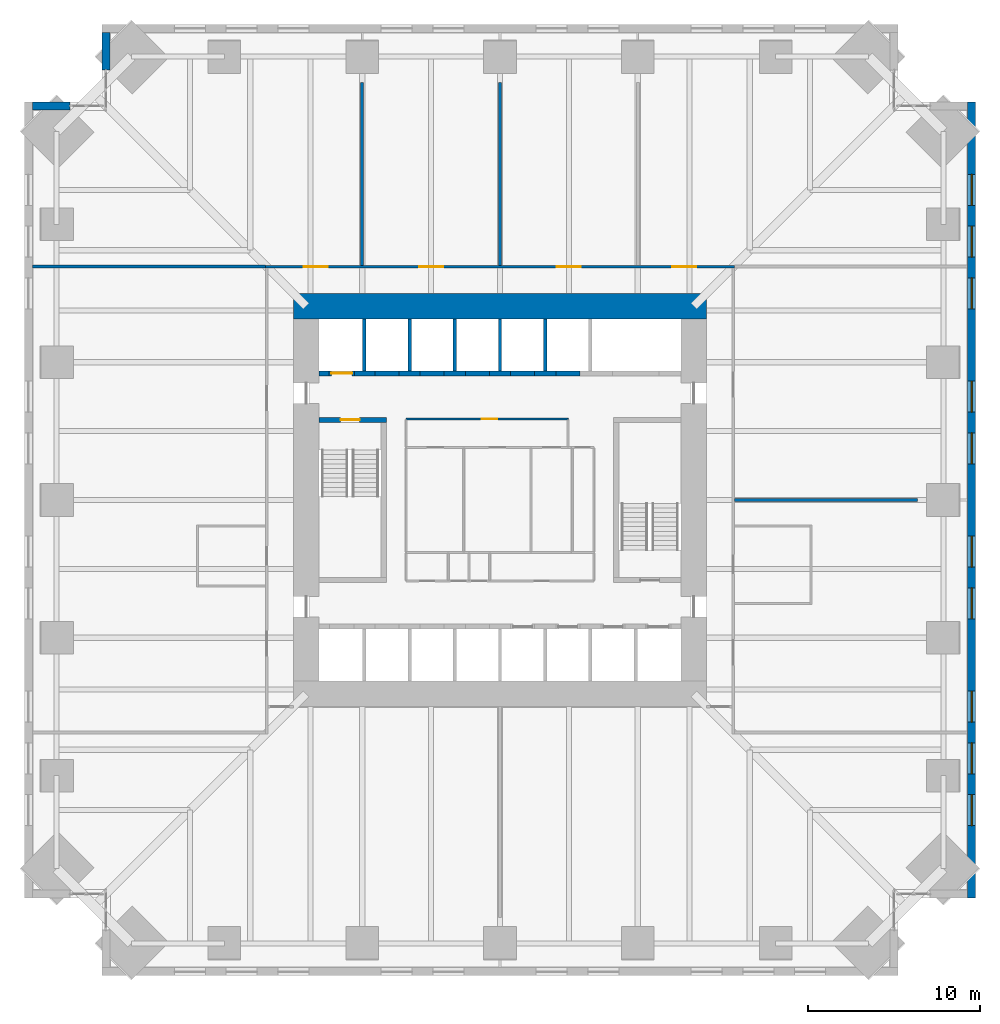
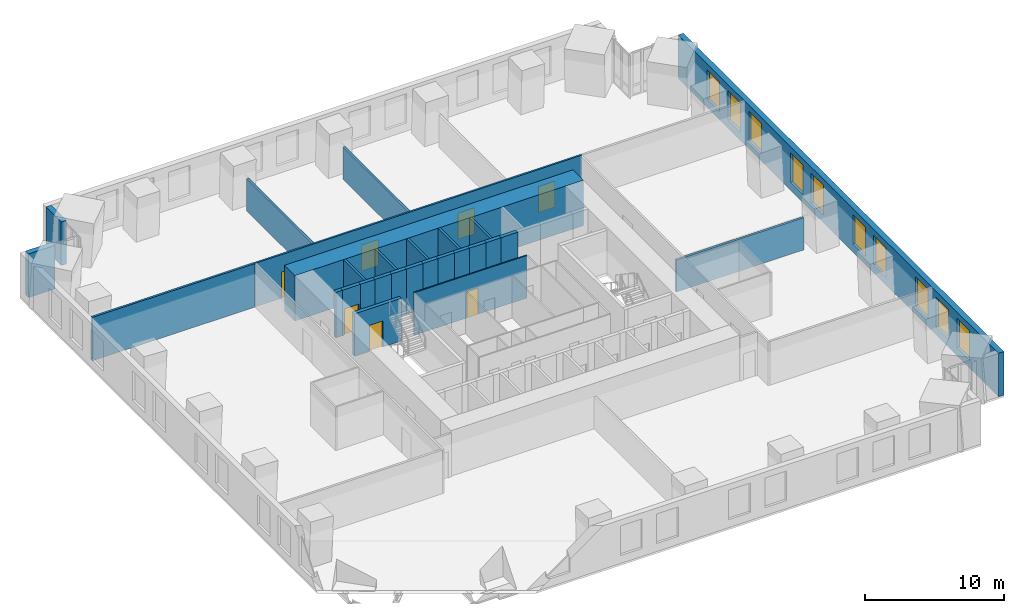
# One storey, part 14 of 16: 28 walls, 10 windows, 7 doors, 17 openings.
"""IFC4 building model written with IfcOpenShell, lengths in metres."""

import ifcopenshell
import ifcopenshell.guid

model = None  # the IFC model being written
_history = None  # IfcOwnerHistory: only IFC2X3 demands one
_inside = {}  # id of a spatial element -> (the spatial element, [elements in it])
_under = {}  # id of a project, library or spatial element -> (it, [spatial elements below it])
_declared = {}  # id of a project -> (the project, [libraries it declares])
_typed = {}  # id of a type object -> (the type object, [elements of that type])
_made_of = {}  # id of a material, layer set ... -> (it, [elements and type objects made of it])


def new_model(schema):
    """Start an empty IFC model of exactly this schema.

    Asked for "IFC4X3", IfcOpenShell would pick the latest addendum, in which some entities
    have other attributes; the version numbers below select the first issue.
    IFC2X3 requires an IfcOwnerHistory on every rooted entity: one is made here for all.
    """
    global model, _history
    if schema == "IFC4X3":
        model = ifcopenshell.file(schema_version=(4, 3, 0, 0))
    else:
        model = ifcopenshell.file(schema=schema)
    _inside.clear()
    _under.clear()
    _declared.clear()
    _typed.clear()
    _made_of.clear()
    _history = None
    if model.schema == "IFC2X3":
        org = make("IfcOrganization", Name="unknown")
        user = make(
            "IfcPersonAndOrganization",
            ThePerson=make("IfcPerson", FamilyName="unknown"),
            TheOrganization=org,
        )
        app = make(
            "IfcApplication",
            ApplicationDeveloper=org,
            Version="unknown",
            ApplicationFullName="unknown",
            ApplicationIdentifier="unknown",
        )
        _history = make(
            "IfcOwnerHistory",
            OwningUser=user,
            OwningApplication=app,
            ChangeAction="ADDED",
            CreationDate=0,
        )
    return model


def make(cls, **values):
    """One entity of the class cls with the attributes given. An attribute that is None is left unset."""
    return model.create_entity(
        cls, **{name: value for name, value in values.items() if value is not None}
    )


def rooted(cls, **values):
    """An entity with a GlobalId (a new one), such as an element, a storey or a relation."""
    return make(cls, GlobalId=ifcopenshell.guid.new(), OwnerHistory=_history, **values)


def si_unit(unit_type, name, prefix=None):
    """IfcSIUnit, for example si_unit("LENGTHUNIT", "METRE", prefix="MILLI")."""
    return make("IfcSIUnit", UnitType=unit_type, Prefix=prefix, Name=name)


def assignment(units):
    """IfcUnitAssignment: the units of a project."""
    return None if units is None else make("IfcUnitAssignment", Units=units)


def point(xyz):
    """IfcCartesianPoint."""
    return None if xyz is None else make("IfcCartesianPoint", Coordinates=xyz)


def direction(xyz):
    """IfcDirection."""
    return None if xyz is None else make("IfcDirection", DirectionRatios=xyz)


def frame(location, z_axis=None, x_axis=None):
    """IfcAxis2Placement3D, a coordinate frame: its origin and axes. An axis left out is left unset."""
    return make(
        "IfcAxis2Placement3D",
        Location=point(location),
        Axis=direction(z_axis),
        RefDirection=direction(x_axis),
    )


def frame_2d(location, x_axis=None):
    """IfcAxis2Placement2D, a coordinate frame in the plane: its origin and x axis."""
    return make(
        "IfcAxis2Placement2D", Location=point(location), RefDirection=direction(x_axis)
    )


def origin():
    """The frame at (0, 0, 0) with its axes left unset."""
    return frame((0.0, 0.0, 0.0))


def place(relative_to, where):
    """IfcLocalPlacement: puts the frame where relative to a parent placement (None: the world)."""
    return make(
        "IfcLocalPlacement", PlacementRelTo=relative_to, RelativePlacement=where
    )


def context(
    kind, dimensions, precision=None, world=None, true_north=None, identifier=None
):
    """IfcGeometricRepresentationContext, for example the 3D "Model" context."""
    return make(
        "IfcGeometricRepresentationContext",
        ContextIdentifier=identifier,
        ContextType=kind,
        CoordinateSpaceDimension=dimensions,
        Precision=precision,
        WorldCoordinateSystem=world,
        TrueNorth=true_north,
    )


def subcontext(parent, identifier, kind, view, scale=None):
    """IfcGeometricRepresentationSubContext, for example "Body" below "Model"."""
    return make(
        "IfcGeometricRepresentationSubContext",
        ContextIdentifier=identifier,
        ContextType=kind,
        ParentContext=parent,
        TargetScale=scale,
        TargetView=view,
    )


def project(units=None, contexts=None):
    """IfcProject with its units and contexts."""
    return rooted(
        "IfcProject",
        Name="project",
        RepresentationContexts=contexts,
        UnitsInContext=assignment(units),
    )


def spatial(cls, under=None, at=None, **own):
    """A site, building, storey or space (cls), placed at a placement, below another one or the project."""
    s = rooted(cls, ObjectPlacement=at, **own)
    if under is not None:
        _under.setdefault(under.id(), (under, []))[1].append(s)
    return s


def profile(cls, at=None, kind="AREA", **sizes):
    """A parametric profile (cls). Its sizes go by their IFC names, for example OverallWidth=200.0."""
    return make(cls, ProfileType=kind, Position=at, **sizes)


def rectangle(**sizes):
    """IfcRectangleProfileDef."""
    return profile("IfcRectangleProfileDef", **sizes)


def extrude(swept, where, along, depth):
    """IfcExtrudedAreaSolid: the profile swept, set in the frame where, extruded along a direction by depth."""
    return make(
        "IfcExtrudedAreaSolid",
        SweptArea=swept,
        Position=where,
        ExtrudedDirection=direction(along),
        Depth=depth,
    )


def shape(context_of_items, identifier, shape_type, items):
    """IfcShapeRepresentation: the items that make up one representation, for example the "Body"."""
    return make(
        "IfcShapeRepresentation",
        ContextOfItems=context_of_items,
        RepresentationIdentifier=identifier,
        RepresentationType=shape_type,
        Items=items,
    )


def material(Name=None, Category=None):
    """IfcMaterial."""
    return make("IfcMaterial", Name=Name, Category=Category)


def layer(
    of_material, thickness, ventilated=None, Name=None, Category=None, Priority=None
):
    """IfcMaterialLayer: one layer of a wall or slab, of a material (None: an air gap)."""
    return make(
        "IfcMaterialLayer",
        Material=of_material,
        LayerThickness=thickness,
        IsVentilated=ventilated,
        Name=Name,
        Category=Category,
        Priority=Priority,
    )


def layer_set(layers, Name=None):
    """IfcMaterialLayerSet."""
    return make("IfcMaterialLayerSet", MaterialLayers=layers, LayerSetName=Name)


def made_of(thing, what):
    """Note that an element or type object is made of a material, layer set ...; save() writes the relation."""
    if what is not None:
        _made_of.setdefault(what.id(), (what, []))[1].append(thing)
    return thing


def type_object(cls, material=None, **own):
    """A type object (cls), such as IfcWallType, which elements share."""
    return made_of(rooted(cls, **own), material)


def element(
    cls,
    number,
    at=None,
    inside=None,
    cuts=None,
    type_object=None,
    material=None,
    context=None,
    identifier="Body",
    shape_type=None,
    held_by="IfcProductDefinitionShape",
    body=None,
    shapes=None,
    **own,
):
    """One element of the class cls, such as IfcWall. Its Tag is "e" and its number.

    at: its placement. inside: the storey or other place that contains it. cuts: it is an
    opening in that element (IfcRelVoidsElement). A single representation is given by context,
    identifier, shape_type and body (its items); several are given by shapes. held_by: the class
    of the entity that holds the representations. save() writes the other relations.
    """
    e = rooted(cls, Tag="e%d" % number, ObjectPlacement=at, **own)
    if body is not None:
        shapes = [shape(context, identifier, shape_type, body)]
    if shapes is not None:
        e.Representation = make(held_by, Representations=shapes)
    if inside is not None:
        _inside.setdefault(inside.id(), (inside, []))[1].append(e)
    if cuts is not None:
        rooted(
            "IfcRelVoidsElement", RelatingBuildingElement=cuts, RelatedOpeningElement=e
        )
    if type_object is not None:
        _typed.setdefault(type_object.id(), (type_object, []))[1].append(e)
    return made_of(e, material)


def fill(opening, filler):
    """IfcRelFillsElement: the door or window that sits in an opening."""
    return rooted(
        "IfcRelFillsElement",
        RelatingOpeningElement=opening,
        RelatedBuildingElement=filler,
    )


def aggregate(whole, parts):
    """IfcRelAggregates: a whole, such as a stair, and the parts it consists of."""
    return rooted("IfcRelAggregates", RelatingObject=whole, RelatedObjects=parts)


def save(model, path):
    """Write the relations noted so far, then the file.

    IfcRelAggregates (storeys below a building ...), IfcRelContainedInSpatialStructure (elements
    in a storey), IfcRelDefinesByType, IfcRelAssociatesMaterial and IfcRelDeclares: one each for
    every whole, place, type object, material and project.
    """
    for whole, parts in _under.values():
        aggregate(whole, parts)
    for where, things in _inside.values():
        rooted(
            "IfcRelContainedInSpatialStructure",
            RelatedElements=things,
            RelatingStructure=where,
        )
    for kind, things in _typed.values():
        rooted("IfcRelDefinesByType", RelatedObjects=things, RelatingType=kind)
    for what, things in _made_of.values():
        rooted("IfcRelAssociatesMaterial", RelatedObjects=things, RelatingMaterial=what)
    for by, libraries in _declared.values():
        rooted("IfcRelDeclares", RelatingContext=by, RelatedDefinitions=libraries)
    model.write(path)


model = new_model("IFC4")

# Units and contexts
model_context = context("Model", 3, precision=1e-05, world=origin(), true_north=direction((0.0, 1.0)))
body_context = subcontext(model_context, "Body", "Model", "MODEL_VIEW")
ifc_project = project(units=[si_unit("LENGTHUNIT", "METRE"), si_unit("AREAUNIT", "SQUARE_METRE"), si_unit("VOLUMEUNIT", "CUBIC_METRE"), si_unit("PLANEANGLEUNIT", "RADIAN"), si_unit("MASSUNIT", "GRAM", prefix="KILO")], contexts=[model_context])

# Site, building, storey
site_placement = place(None, origin())
site = spatial("IfcSite", under=ifc_project, at=site_placement, CompositionType="ELEMENT")
building_placement = place(site_placement, origin())
building = spatial("IfcBuilding", under=site, at=building_placement, Name="Peilmerk Tower", CompositionType="ELEMENT")
storey_placement = place(building_placement, frame((0.0, 0.0, 127.800048828125)))
storey = spatial("IfcBuildingStorey", under=building, at=storey_placement, Name="L25", CompositionType="ELEMENT", Elevation=127.800048828125)

# Wall, openings, windows
ifc_material_1 = material(Name="Precast concrete C45/55, board-marked finish", Category="concrete")
ifc_layer_1 = layer(ifc_material_1, 0.449951171875)
ifc_layer_set_1 = layer_set([ifc_layer_1], Name="Precast concrete C45/55, board-marked finish")
wall_type_1 = type_object("IfcWallType", Name="EW1 450 precast concrete facade wall, board-marked", PredefinedType="SOLIDWALL", material=ifc_layer_set_1)
wall_1_placement = place(storey_placement, frame((27.375, -23.10009765625, 0.0), z_axis=(0.0, 0.0, 1.0), x_axis=(0.0, 1.0, 0.0)))
wall_1 = element("IfcWall", 1, at=wall_1_placement, inside=storey, type_object=wall_type_1, Name="Facade wall E L25", PredefinedType="SOLIDWALL", context=body_context, shape_type="SweptSolid", body=[
    extrude(rectangle(XDim=46.2001953125, YDim=0.449951171875, at=frame_2d((23.10009765625, 0.0))), origin(), (0.0, 0.0, 1.0), 3.829833984375),
])
opening_1_placement = place(wall_1_placement, frame((4.199951171875, 0.0, 0.699951171875)))
opening_1 = element("IfcOpeningElement", 2, at=opening_1_placement, cuts=wall_1, Name="Opening W1", PredefinedType="OPENING", context=body_context, shape_type="SweptSolid", body=[
    extrude(rectangle(XDim=1.800048828125, YDim=2.60009765625, at=frame_2d((0.89990234375, 1.300048828125))), frame((0.0, 0.23486328125, 0.0), z_axis=(0.0, -1.0, 0.0), x_axis=(1.0, 0.0, 0.0)), (0.0, 0.0, 1.0), 0.469970703125),
])
opening_2_placement = place(wall_1_placement, frame((7.199951171875, 0.0, 0.699951171875)))
opening_2 = element("IfcOpeningElement", 3, at=opening_2_placement, cuts=wall_1, Name="Opening W1", PredefinedType="OPENING", context=body_context, shape_type="SweptSolid", body=[
    extrude(rectangle(XDim=1.800048828125, YDim=2.60009765625, at=frame_2d((0.89990234375, 1.300048828125))), frame((0.0, 0.23486328125, 0.0), z_axis=(0.0, -1.0, 0.0), x_axis=(1.0, 0.0, 0.0)), (0.0, 0.0, 1.0), 0.469970703125),
])
opening_3_placement = place(wall_1_placement, frame((10.199951171875, 0.0, 0.699951171875)))
opening_3 = element("IfcOpeningElement", 4, at=opening_3_placement, cuts=wall_1, Name="Opening W1", PredefinedType="OPENING", context=body_context, shape_type="SweptSolid", body=[
    extrude(rectangle(XDim=1.800048828125, YDim=2.60009765625, at=frame_2d((0.89990234375, 1.300048828125))), frame((0.0, 0.23486328125, 0.0), z_axis=(0.0, -1.0, 0.0), x_axis=(1.0, 0.0, 0.0)), (0.0, 0.0, 1.0), 0.469970703125),
])
opening_4_placement = place(wall_1_placement, frame((16.199951171875, 0.0, 0.699951171875)))
opening_4 = element("IfcOpeningElement", 5, at=opening_4_placement, cuts=wall_1, Name="Opening W1", PredefinedType="OPENING", context=body_context, shape_type="SweptSolid", body=[
    extrude(rectangle(XDim=1.800048828125, YDim=2.60009765625, at=frame_2d((0.89990234375, 1.300048828125))), frame((0.0, 0.23486328125, 0.0), z_axis=(0.0, -1.0, 0.0), x_axis=(1.0, 0.0, 0.0)), (0.0, 0.0, 1.0), 0.469970703125),
])
opening_5_placement = place(wall_1_placement, frame((19.199951171875, 0.0, 0.699951171875)))
opening_5 = element("IfcOpeningElement", 6, at=opening_5_placement, cuts=wall_1, Name="Opening W1", PredefinedType="OPENING", context=body_context, shape_type="SweptSolid", body=[
    extrude(rectangle(XDim=1.800048828125, YDim=2.60009765625, at=frame_2d((0.89990234375, 1.300048828125))), frame((0.0, 0.23486328125, 0.0), z_axis=(0.0, -1.0, 0.0), x_axis=(1.0, 0.0, 0.0)), (0.0, 0.0, 1.0), 0.469970703125),
])
opening_6_placement = place(wall_1_placement, frame((25.199951171875, 0.0, 0.699951171875)))
opening_6 = element("IfcOpeningElement", 7, at=opening_6_placement, cuts=wall_1, Name="Opening W1", PredefinedType="OPENING", context=body_context, shape_type="SweptSolid", body=[
    extrude(rectangle(XDim=1.800048828125, YDim=2.60009765625, at=frame_2d((0.89990234375, 1.300048828125))), frame((0.0, 0.23486328125, 0.0), z_axis=(0.0, -1.0, 0.0), x_axis=(1.0, 0.0, 0.0)), (0.0, 0.0, 1.0), 0.469970703125),
])
opening_7_placement = place(wall_1_placement, frame((28.199951171875, 0.0, 0.699951171875)))
opening_7 = element("IfcOpeningElement", 8, at=opening_7_placement, cuts=wall_1, Name="Opening W1", PredefinedType="OPENING", context=body_context, shape_type="SweptSolid", body=[
    extrude(rectangle(XDim=1.800048828125, YDim=2.60009765625, at=frame_2d((0.89990234375, 1.300048828125))), frame((0.0, 0.23486328125, 0.0), z_axis=(0.0, -1.0, 0.0), x_axis=(1.0, 0.0, 0.0)), (0.0, 0.0, 1.0), 0.469970703125),
])
opening_8_placement = place(wall_1_placement, frame((34.199951171875, 0.0, 0.699951171875)))
opening_8 = element("IfcOpeningElement", 9, at=opening_8_placement, cuts=wall_1, Name="Opening W1", PredefinedType="OPENING", context=body_context, shape_type="SweptSolid", body=[
    extrude(rectangle(XDim=1.800048828125, YDim=2.60009765625, at=frame_2d((0.89990234375, 1.300048828125))), frame((0.0, 0.23486328125, 0.0), z_axis=(0.0, -1.0, 0.0), x_axis=(1.0, 0.0, 0.0)), (0.0, 0.0, 1.0), 0.469970703125),
])
opening_9_placement = place(wall_1_placement, frame((37.199951171875, 0.0, 0.699951171875)))
opening_9 = element("IfcOpeningElement", 10, at=opening_9_placement, cuts=wall_1, Name="Opening W1", PredefinedType="OPENING", context=body_context, shape_type="SweptSolid", body=[
    extrude(rectangle(XDim=1.800048828125, YDim=2.60009765625, at=frame_2d((0.89990234375, 1.300048828125))), frame((0.0, 0.23486328125, 0.0), z_axis=(0.0, -1.0, 0.0), x_axis=(1.0, 0.0, 0.0)), (0.0, 0.0, 1.0), 0.469970703125),
])
opening_10_placement = place(wall_1_placement, frame((40.199951171875, 0.0, 0.699951171875)))
opening_10 = element("IfcOpeningElement", 11, at=opening_10_placement, cuts=wall_1, Name="Opening W1", PredefinedType="OPENING", context=body_context, shape_type="SweptSolid", body=[
    extrude(rectangle(XDim=1.800048828125, YDim=2.60009765625, at=frame_2d((0.89990234375, 1.300048828125))), frame((0.0, 0.23486328125, 0.0), z_axis=(0.0, -1.0, 0.0), x_axis=(1.0, 0.0, 0.0)), (0.0, 0.0, 1.0), 0.469970703125),
])
ifc_material_2 = material(Name="Aluminium frame, clear double glazing", Category="aluminium")
window_type = type_object("IfcWindowType", Name="W1 1800x2600 office window", PartitioningType="SINGLE_PANEL", PredefinedType="WINDOW", material=ifc_material_2)
window_1_placement = place(opening_1_placement, origin())
window_1 = element("IfcWindow", 12, at=window_1_placement, inside=storey, type_object=window_type, Name="Window W1 L25", OverallHeight=2.60009765625, OverallWidth=1.800048828125, PartitioningType="SINGLE_PANEL", PredefinedType="WINDOW", context=body_context, shape_type="SweptSolid", body=[
    extrude(rectangle(XDim=1.800048828125, YDim=2.60009765625, at=frame_2d((0.89990234375, 1.300048828125))), frame((0.0, 0.030029296875, 0.0), z_axis=(0.0, -1.0, 0.0), x_axis=(1.0, 0.0, 0.0)), (0.0, 0.0, 1.0), 0.06005859375),
])
fill(opening_1, window_1)
window_2_placement = place(opening_2_placement, origin())
window_2 = element("IfcWindow", 13, at=window_2_placement, inside=storey, type_object=window_type, Name="Window W1 L25", OverallHeight=2.60009765625, OverallWidth=1.800048828125, PartitioningType="SINGLE_PANEL", PredefinedType="WINDOW", context=body_context, shape_type="SweptSolid", body=[
    extrude(rectangle(XDim=1.800048828125, YDim=2.60009765625, at=frame_2d((0.89990234375, 1.300048828125))), frame((0.0, 0.030029296875, 0.0), z_axis=(0.0, -1.0, 0.0), x_axis=(1.0, 0.0, 0.0)), (0.0, 0.0, 1.0), 0.06005859375),
])
fill(opening_2, window_2)
window_3_placement = place(opening_3_placement, origin())
window_3 = element("IfcWindow", 14, at=window_3_placement, inside=storey, type_object=window_type, Name="Window W1 L25", OverallHeight=2.60009765625, OverallWidth=1.800048828125, PartitioningType="SINGLE_PANEL", PredefinedType="WINDOW", context=body_context, shape_type="SweptSolid", body=[
    extrude(rectangle(XDim=1.800048828125, YDim=2.60009765625, at=frame_2d((0.89990234375, 1.300048828125))), frame((0.0, 0.030029296875, 0.0), z_axis=(0.0, -1.0, 0.0), x_axis=(1.0, 0.0, 0.0)), (0.0, 0.0, 1.0), 0.06005859375),
])
fill(opening_3, window_3)
window_4_placement = place(opening_4_placement, origin())
window_4 = element("IfcWindow", 15, at=window_4_placement, inside=storey, type_object=window_type, Name="Window W1 L25", OverallHeight=2.60009765625, OverallWidth=1.800048828125, PartitioningType="SINGLE_PANEL", PredefinedType="WINDOW", context=body_context, shape_type="SweptSolid", body=[
    extrude(rectangle(XDim=1.800048828125, YDim=2.60009765625, at=frame_2d((0.89990234375, 1.300048828125))), frame((0.0, 0.030029296875, 0.0), z_axis=(0.0, -1.0, 0.0), x_axis=(1.0, 0.0, 0.0)), (0.0, 0.0, 1.0), 0.06005859375),
])
fill(opening_4, window_4)
window_5_placement = place(opening_5_placement, origin())
window_5 = element("IfcWindow", 16, at=window_5_placement, inside=storey, type_object=window_type, Name="Window W1 L25", OverallHeight=2.60009765625, OverallWidth=1.800048828125, PartitioningType="SINGLE_PANEL", PredefinedType="WINDOW", context=body_context, shape_type="SweptSolid", body=[
    extrude(rectangle(XDim=1.800048828125, YDim=2.60009765625, at=frame_2d((0.89990234375, 1.300048828125))), frame((0.0, 0.030029296875, 0.0), z_axis=(0.0, -1.0, 0.0), x_axis=(1.0, 0.0, 0.0)), (0.0, 0.0, 1.0), 0.06005859375),
])
fill(opening_5, window_5)
window_6_placement = place(opening_6_placement, origin())
window_6 = element("IfcWindow", 17, at=window_6_placement, inside=storey, type_object=window_type, Name="Window W1 L25", OverallHeight=2.60009765625, OverallWidth=1.800048828125, PartitioningType="SINGLE_PANEL", PredefinedType="WINDOW", context=body_context, shape_type="SweptSolid", body=[
    extrude(rectangle(XDim=1.800048828125, YDim=2.60009765625, at=frame_2d((0.89990234375, 1.300048828125))), frame((0.0, 0.030029296875, 0.0), z_axis=(0.0, -1.0, 0.0), x_axis=(1.0, 0.0, 0.0)), (0.0, 0.0, 1.0), 0.06005859375),
])
fill(opening_6, window_6)
window_7_placement = place(opening_7_placement, origin())
window_7 = element("IfcWindow", 18, at=window_7_placement, inside=storey, type_object=window_type, Name="Window W1 L25", OverallHeight=2.60009765625, OverallWidth=1.800048828125, PartitioningType="SINGLE_PANEL", PredefinedType="WINDOW", context=body_context, shape_type="SweptSolid", body=[
    extrude(rectangle(XDim=1.800048828125, YDim=2.60009765625, at=frame_2d((0.89990234375, 1.300048828125))), frame((0.0, 0.030029296875, 0.0), z_axis=(0.0, -1.0, 0.0), x_axis=(1.0, 0.0, 0.0)), (0.0, 0.0, 1.0), 0.06005859375),
])
fill(opening_7, window_7)
window_8_placement = place(opening_8_placement, origin())
window_8 = element("IfcWindow", 19, at=window_8_placement, inside=storey, type_object=window_type, Name="Window W1 L25", OverallHeight=2.60009765625, OverallWidth=1.800048828125, PartitioningType="SINGLE_PANEL", PredefinedType="WINDOW", context=body_context, shape_type="SweptSolid", body=[
    extrude(rectangle(XDim=1.800048828125, YDim=2.60009765625, at=frame_2d((0.89990234375, 1.300048828125))), frame((0.0, 0.030029296875, 0.0), z_axis=(0.0, -1.0, 0.0), x_axis=(1.0, 0.0, 0.0)), (0.0, 0.0, 1.0), 0.06005859375),
])
fill(opening_8, window_8)
window_9_placement = place(opening_9_placement, origin())
window_9 = element("IfcWindow", 20, at=window_9_placement, inside=storey, type_object=window_type, Name="Window W1 L25", OverallHeight=2.60009765625, OverallWidth=1.800048828125, PartitioningType="SINGLE_PANEL", PredefinedType="WINDOW", context=body_context, shape_type="SweptSolid", body=[
    extrude(rectangle(XDim=1.800048828125, YDim=2.60009765625, at=frame_2d((0.89990234375, 1.300048828125))), frame((0.0, 0.030029296875, 0.0), z_axis=(0.0, -1.0, 0.0), x_axis=(1.0, 0.0, 0.0)), (0.0, 0.0, 1.0), 0.06005859375),
])
fill(opening_9, window_9)
window_10_placement = place(opening_10_placement, origin())
window_10 = element("IfcWindow", 21, at=window_10_placement, inside=storey, type_object=window_type, Name="Window W1 L25", OverallHeight=2.60009765625, OverallWidth=1.800048828125, PartitioningType="SINGLE_PANEL", PredefinedType="WINDOW", context=body_context, shape_type="SweptSolid", body=[
    extrude(rectangle(XDim=1.800048828125, YDim=2.60009765625, at=frame_2d((0.89990234375, 1.300048828125))), frame((0.0, 0.030029296875, 0.0), z_axis=(0.0, -1.0, 0.0), x_axis=(1.0, 0.0, 0.0)), (0.0, 0.0, 1.0), 0.06005859375),
])
fill(opening_10, window_10)

# Walls
for number, where, z_axis, x_axis, name in (
    (22, (-22.875, 24.95361328125, 0.0), (0.0, 0.0, 1.0), (0.0, 1.0, 0.0), "Facade wall NWA L25"),
    (23, (-24.95361328125, 22.875, 0.0), (0.0, 0.0, 1.0), (-1.0, 0.0, 0.0), "Facade wall NWB L25"),
):
    element("IfcWall", number, at=place(storey_placement, frame(where, z_axis=z_axis, x_axis=x_axis)), inside=storey, type_object=wall_type_1, Name=name, PredefinedType="SOLIDWALL", context=body_context, shape_type="SweptSolid", body=[
        extrude(rectangle(XDim=2.1962890625, YDim=0.449951171875, at=frame_2d((1.09814453125, 0.0))), origin(), (0.0, 0.0, 1.0), 3.829833984375),
    ])

# Wall, openings, doors
ifc_material_3 = material(Name="Calcium silicate block", Category="masonry")
ifc_layer_2 = layer(ifc_material_3, 0.14990234375)
ifc_layer_set_2 = layer_set([ifc_layer_2], Name="Calcium silicate block")
wall_type_2 = type_object("IfcWallType", Name="IW1 150 corridor partition, EI 60", PredefinedType="PARTITIONING", material=ifc_layer_set_2)
wall_2_placement = place(storey_placement, frame((-13.625, 13.550048828125, 0.0), z_axis=(0.0, 0.0, 1.0), x_axis=(1.0, 0.0, 0.0)))
wall_2 = element("IfcWall", 24, at=wall_2_placement, inside=storey, type_object=wall_type_2, Name="Corridor wall N L25", PredefinedType="PARTITIONING", context=body_context, shape_type="SweptSolid", body=[
    extrude(rectangle(XDim=27.25, YDim=0.14990234375, at=frame_2d((13.625, 0.0))), origin(), (0.0, 0.0, 1.0), 3.829833984375),
])
opening_11_placement = place(wall_2_placement, frame((2.22509765625, 0.0, 0.0)))
opening_11 = element("IfcOpeningElement", 25, at=opening_11_placement, cuts=wall_2, Name="Opening D8", PredefinedType="OPENING", context=body_context, shape_type="SweptSolid", body=[
    extrude(rectangle(XDim=1.39990234375, YDim=2.300048828125, at=frame_2d((0.699951171875, 1.14990234375))), frame((0.0, 0.0849609375, 0.0), z_axis=(0.0, -1.0, 0.0), x_axis=(1.0, 0.0, 0.0)), (0.0, 0.0, 1.0), 0.169921875),
])
opening_12_placement = place(wall_2_placement, frame((8.925048828125, 0.0, 0.0)))
opening_12 = element("IfcOpeningElement", 26, at=opening_12_placement, cuts=wall_2, Name="Opening D8", PredefinedType="OPENING", context=body_context, shape_type="SweptSolid", body=[
    extrude(rectangle(XDim=1.39990234375, YDim=2.300048828125, at=frame_2d((0.699951171875, 1.14990234375))), frame((0.0, 0.0849609375, 0.0), z_axis=(0.0, -1.0, 0.0), x_axis=(1.0, 0.0, 0.0)), (0.0, 0.0, 1.0), 0.169921875),
])
opening_13_placement = place(wall_2_placement, frame((16.925048828125, 0.0, 0.0)))
opening_13 = element("IfcOpeningElement", 27, at=opening_13_placement, cuts=wall_2, Name="Opening D8", PredefinedType="OPENING", context=body_context, shape_type="SweptSolid", body=[
    extrude(rectangle(XDim=1.39990234375, YDim=2.300048828125, at=frame_2d((0.699951171875, 1.14990234375))), frame((0.0, 0.0849609375, 0.0), z_axis=(0.0, -1.0, 0.0), x_axis=(1.0, 0.0, 0.0)), (0.0, 0.0, 1.0), 0.169921875),
])
opening_14_placement = place(wall_2_placement, frame((23.625, 0.0, 0.0)))
opening_14 = element("IfcOpeningElement", 28, at=opening_14_placement, cuts=wall_2, Name="Opening D8", PredefinedType="OPENING", context=body_context, shape_type="SweptSolid", body=[
    extrude(rectangle(XDim=1.39990234375, YDim=2.300048828125, at=frame_2d((0.699951171875, 1.14990234375))), frame((0.0, 0.0849609375, 0.0), z_axis=(0.0, -1.0, 0.0), x_axis=(1.0, 0.0, 0.0)), (0.0, 0.0, 1.0), 0.169921875),
])
ifc_material_4 = material(Name="Timber door in steel frame", Category="steel")
door_type_1 = type_object("IfcDoorType", Name="D8 1400x2300 leaf-and-a-half door, EI2 30", OperationType="DOUBLE_DOOR_SINGLE_SWING", PredefinedType="DOOR", material=ifc_material_4)
door_1_placement = place(opening_11_placement, origin())
door_1 = element("IfcDoor", 29, at=door_1_placement, inside=storey, type_object=door_type_1, Name="Door Tenant suite L25", OperationType="DOUBLE_DOOR_SINGLE_SWING", OverallHeight=2.300048828125, OverallWidth=1.39990234375, PredefinedType="DOOR", context=body_context, shape_type="SweptSolid", body=[
    extrude(rectangle(XDim=1.39990234375, YDim=2.300048828125, at=frame_2d((0.699951171875, 1.14990234375))), frame((0.0, 0.02490234375, 0.0), z_axis=(0.0, -1.0, 0.0), x_axis=(1.0, 0.0, 0.0)), (0.0, 0.0, 1.0), 0.050048828125),
])
fill(opening_11, door_1)
door_2_placement = place(opening_12_placement, origin())
door_2 = element("IfcDoor", 30, at=door_2_placement, inside=storey, type_object=door_type_1, Name="Door Tenant suite L25", OperationType="DOUBLE_DOOR_SINGLE_SWING", OverallHeight=2.300048828125, OverallWidth=1.39990234375, PredefinedType="DOOR", context=body_context, shape_type="SweptSolid", body=[
    extrude(rectangle(XDim=1.39990234375, YDim=2.300048828125, at=frame_2d((0.699951171875, 1.14990234375))), frame((0.0, 0.02490234375, 0.0), z_axis=(0.0, -1.0, 0.0), x_axis=(1.0, 0.0, 0.0)), (0.0, 0.0, 1.0), 0.050048828125),
])
fill(opening_12, door_2)
door_3_placement = place(opening_13_placement, origin())
door_3 = element("IfcDoor", 31, at=door_3_placement, inside=storey, type_object=door_type_1, Name="Door Tenant suite L25", OperationType="DOUBLE_DOOR_SINGLE_SWING", OverallHeight=2.300048828125, OverallWidth=1.39990234375, PredefinedType="DOOR", context=body_context, shape_type="SweptSolid", body=[
    extrude(rectangle(XDim=1.39990234375, YDim=2.300048828125, at=frame_2d((0.699951171875, 1.14990234375))), frame((0.0, 0.02490234375, 0.0), z_axis=(0.0, -1.0, 0.0), x_axis=(1.0, 0.0, 0.0)), (0.0, 0.0, 1.0), 0.050048828125),
])
fill(opening_13, door_3)
door_4_placement = place(opening_14_placement, origin())
door_4 = element("IfcDoor", 32, at=door_4_placement, inside=storey, type_object=door_type_1, Name="Door Tenant suite L25", OperationType="DOUBLE_DOOR_SINGLE_SWING", OverallHeight=2.300048828125, OverallWidth=1.39990234375, PredefinedType="DOOR", context=body_context, shape_type="SweptSolid", body=[
    extrude(rectangle(XDim=1.39990234375, YDim=2.300048828125, at=frame_2d((0.699951171875, 1.14990234375))), frame((0.0, 0.02490234375, 0.0), z_axis=(0.0, -1.0, 0.0), x_axis=(1.0, 0.0, 0.0)), (0.0, 0.0, 1.0), 0.050048828125),
])
fill(opening_14, door_4)

# Wall, opening, door
ifc_material_5 = material(Name="Concrete C35/45", Category="concrete")
ifc_layer_3 = layer(ifc_material_5, 0.300048828125)
ifc_layer_set_3 = layer_set([ifc_layer_3], Name="Concrete C35/45")
wall_type_3 = type_object("IfcWallType", Name="IW3 300 concrete stair enclosure wall, EI 120", PredefinedType="SOLIDWALL", material=ifc_layer_set_3)
wall_3_placement = place(storey_placement, frame((-10.5, 4.64990234375, 0.0), z_axis=(0.0, 0.0, 1.0), x_axis=(1.0, 0.0, 0.0)))
wall_3 = element("IfcWall", 33, at=wall_3_placement, inside=storey, type_object=wall_type_3, Name="Stair 1 enclosure L25", PredefinedType="SOLIDWALL", context=body_context, shape_type="SweptSolid", body=[
    extrude(rectangle(XDim=3.89990234375, YDim=0.300048828125, at=frame_2d((1.949951171875, 0.0))), origin(), (0.0, 0.0, 1.0), 3.75),
])
opening_15_placement = place(wall_3_placement, frame((1.25, 0.0, 0.0)))
opening_15 = element("IfcOpeningElement", 34, at=opening_15_placement, cuts=wall_3, Name="Opening D4", PredefinedType="OPENING", context=body_context, shape_type="SweptSolid", body=[
    extrude(rectangle(XDim=1.10009765625, YDim=2.300048828125, at=frame_2d((0.550048828125, 1.14990234375))), frame((0.0, 0.159912109375, 0.0), z_axis=(0.0, -1.0, 0.0), x_axis=(1.0, 0.0, 0.0)), (0.0, 0.0, 1.0), 0.320068359375),
])
ifc_material_6 = material(Name="Steel door in steel frame", Category="steel")
door_type_2 = type_object("IfcDoorType", Name="D4 1100x2300 stair door, EI2 60", OperationType="SINGLE_SWING_RIGHT", PredefinedType="DOOR", material=ifc_material_6)
door_5_placement = place(opening_15_placement, frame((1.10009765625, 0.0, 0.0), z_axis=(0.0, 0.0, 1.0), x_axis=(-1.0, 0.0, 0.0)))
door_5 = element("IfcDoor", 35, at=door_5_placement, inside=storey, type_object=door_type_2, Name="Stair 1 door L25", OperationType="SINGLE_SWING_RIGHT", OverallHeight=2.300048828125, OverallWidth=1.10009765625, PredefinedType="DOOR", context=body_context, shape_type="SweptSolid", body=[
    extrude(rectangle(XDim=1.10009765625, YDim=2.300048828125, at=frame_2d((0.550048828125, 1.14990234375))), frame((0.0, 0.02490234375, 0.0), z_axis=(0.0, -1.0, 0.0), x_axis=(1.0, 0.0, 0.0)), (0.0, 0.0, 1.0), 0.050048828125),
])
fill(opening_15, door_5)

# Walls
ifc_layer_4 = layer(ifc_material_3, 0.175048828125)
ifc_layer_set_4 = layer_set([ifc_layer_4], Name="Calcium silicate block")
wall_type_4 = type_object("IfcWallType", Name="IW8 175 tenant separating wall, EI 60", PredefinedType="PARTITIONING", material=ifc_layer_set_4)
wall_4_placement = place(storey_placement, frame((-27.14990234375, 13.550048828125, 0.0), z_axis=(0.0, 0.0, 1.0), x_axis=(1.0, 0.0, 0.0)))
element("IfcWall", 36, at=wall_4_placement, inside=storey, type_object=wall_type_4, Name="Tenant separating wall NW L25", PredefinedType="PARTITIONING", context=body_context, shape_type="SweptSolid", body=[
    extrude(rectangle(XDim=13.52490234375, YDim=0.175048828125, at=frame_2d((6.762451171875, 0.0))), origin(), (0.0, 0.0, 1.0), 3.829833984375),
])
for number, where, z_axis, x_axis, name in (
    (37, (-8.0, 13.625, 0.0), (0.0, 0.0, 1.0), (0.0, 1.0, 0.0), "Tenant separating wall N1 L25"),
    (38, (0.0, 13.625, 0.0), (0.0, 0.0, 1.0), (0.0, 1.0, 0.0), "Tenant separating wall N2 L25"),
    (39, (13.625, 0.0, 0.0), (0.0, 0.0, 1.0), (1.0, 0.0, 0.0), "Tenant separating wall E1 L25"),
):
    element("IfcWall", number, at=place(storey_placement, frame(where, z_axis=z_axis, x_axis=x_axis)), inside=storey, type_object=wall_type_4, Name=name, PredefinedType="PARTITIONING", context=body_context, shape_type="SweptSolid", body=[
        extrude(rectangle(XDim=10.61376953125, YDim=0.175048828125, at=frame_2d((5.306884765625, 0.0))), origin(), (0.0, 0.0, 1.0), 2.822021484375),
    ])

# Wall, opening, door
ifc_material_7 = material(Name="Fire-resisting plasterboard on steel studs", Category="steel")
ifc_layer_5 = layer(ifc_material_7, 0.10009765625)
ifc_layer_set_5 = layer_set([ifc_layer_5], Name="Fire-resisting plasterboard on steel studs")
wall_type_5 = type_object("IfcWallType", Name="IW9 100 WC lobby wall, EI 30", PredefinedType="PARTITIONING", material=ifc_layer_set_5)
wall_5_placement = place(storey_placement, frame((-5.449951171875, 4.699951171875, 0.0), z_axis=(0.0, 0.0, 1.0), x_axis=(1.0, 0.0, 0.0)))
wall_5 = element("IfcWall", 40, at=wall_5_placement, inside=storey, type_object=wall_type_5, Name="WC lobby wall L25", PredefinedType="PARTITIONING", context=body_context, shape_type="SweptSolid", body=[
    extrude(rectangle(XDim=9.39990234375, YDim=0.10009765625, at=frame_2d((4.699951171875, 0.0))), origin(), (0.0, 0.0, 1.0), 3.75),
])
opening_16_placement = place(wall_5_placement, frame((4.39990234375, 0.0, 0.0)))
opening_16 = element("IfcOpeningElement", 41, at=opening_16_placement, cuts=wall_5, Name="Opening D11", PredefinedType="OPENING", context=body_context, shape_type="SweptSolid", body=[
    extrude(rectangle(XDim=0.89990234375, YDim=2.300048828125, at=frame_2d((0.449951171875, 1.14990234375))), frame((0.0, 0.06005859375, 0.0), z_axis=(0.0, -1.0, 0.0), x_axis=(1.0, 0.0, 0.0)), (0.0, 0.0, 1.0), 0.1201171875),
])
door_type_3 = type_object("IfcDoorType", Name="D11 900x2300 WC lobby door, EI2 30", OperationType="SINGLE_SWING_LEFT", PredefinedType="DOOR", material=ifc_material_4)
door_6_placement = place(opening_16_placement, frame((0.89990234375, 0.0, 0.0), z_axis=(0.0, 0.0, 1.0), x_axis=(-1.0, 0.0, 0.0)))
door_6 = element("IfcDoor", 42, at=door_6_placement, inside=storey, type_object=door_type_3, Name="WC lobby door L25", OperationType="SINGLE_SWING_LEFT", OverallHeight=2.300048828125, OverallWidth=0.89990234375, PredefinedType="DOOR", context=body_context, shape_type="SweptSolid", body=[
    extrude(rectangle(XDim=0.89990234375, YDim=2.300048828125, at=frame_2d((0.449951171875, 1.14990234375))), frame((0.0, 0.02490234375, 0.0), z_axis=(0.0, -1.0, 0.0), x_axis=(1.0, 0.0, 0.0)), (0.0, 0.0, 1.0), 0.050048828125),
])
fill(opening_16, door_6)

# Walls
ifc_layer_6 = layer(ifc_material_3, 0.199951171875)
ifc_layer_set_6 = layer_set([ifc_layer_6], Name="Calcium silicate block")
wall_type_6 = type_object("IfcWallType", Name="SH1 200 shaft dividing wall, EI 120", PredefinedType="PARTITIONING", material=ifc_layer_set_6)
for number, where, z_axis, x_axis, name in (
    (43, (-7.875, 7.5, 0.0), (0.0, 0.0, 1.0), (0.0, 1.0, 0.0), "Shaft wall N FL1 L25"),
    (44, (-5.25, 7.5, 0.0), (0.0, 0.0, 1.0), (0.0, 1.0, 0.0), "Shaft wall N A1 L25"),
    (45, (-2.625, 7.5, 0.0), (0.0, 0.0, 1.0), (0.0, 1.0, 0.0), "Shaft wall N A2 L25"),
    (46, (0.0, 7.5, 0.0), (0.0, 0.0, 1.0), (0.0, 1.0, 0.0), "Shaft wall N A3 L25"),
    (47, (2.625, 7.5, 0.0), (0.0, 0.0, 1.0), (0.0, 1.0, 0.0), "Shaft wall N S1 L25"),
):
    element("IfcWall", number, at=place(storey_placement, frame(where, z_axis=z_axis, x_axis=x_axis)), inside=storey, type_object=wall_type_6, Name=name, PredefinedType="PARTITIONING", context=body_context, shape_type="SweptSolid", body=[
        extrude(rectangle(XDim=3.0, YDim=0.199951171875, at=frame_2d((1.5, 0.0))), origin(), (0.0, 0.0, 1.0), 4.0),
    ])

# Wall, opening, door
ifc_layer_7 = layer(ifc_material_3, 0.300048828125)
ifc_layer_set_7 = layer_set([ifc_layer_7], Name="Calcium silicate block")
wall_type_7 = type_object("IfcWallType", Name="SH2 300 lift landing door panel, EI 120", PredefinedType="PARTITIONING", material=ifc_layer_set_7)
wall_6_placement = place(storey_placement, frame((-9.9375, 7.35009765625, 0.0), z_axis=(0.0, 0.0, 1.0), x_axis=(1.0, 0.0, 0.0)))
wall_6 = element("IfcWall", 48, at=wall_6_placement, inside=storey, type_object=wall_type_7, Name="Lift door panel N FL1 L25", PredefinedType="PARTITIONING", context=body_context, shape_type="SweptSolid", body=[
    extrude(rectangle(XDim=1.5, YDim=0.300048828125, at=frame_2d((0.75, 0.0))), origin(), (0.0, 0.0, 1.0), 4.0),
])
opening_17_placement = place(wall_6_placement, frame((0.14990234375, 0.0, 0.0)))
opening_17 = element("IfcOpeningElement", 49, at=opening_17_placement, cuts=wall_6, Name="Opening LD2", PredefinedType="OPENING", context=body_context, shape_type="SweptSolid", body=[
    extrude(rectangle(XDim=1.199951171875, YDim=2.300048828125, at=frame_2d((0.60009765625, 1.14990234375))), frame((0.0, 0.159912109375, 0.0), z_axis=(0.0, -1.0, 0.0), x_axis=(1.0, 0.0, 0.0)), (0.0, 0.0, 1.0), 0.320068359375),
])
ifc_material_8 = material(Name="Stainless steel landing door", Category="steel")
door_type_4 = type_object("IfcDoorType", Name="LD2 1200x2300 lift landing door, sliding, EI2 60", OperationType="SLIDING_TO_LEFT", PredefinedType="DOOR", material=ifc_material_8)
door_7_placement = place(opening_17_placement, frame((1.199951171875, 0.0, 0.0), z_axis=(0.0, 0.0, 1.0), x_axis=(-1.0, 0.0, 0.0)))
door_7 = element("IfcDoor", 50, at=door_7_placement, inside=storey, type_object=door_type_4, Name="Lift landing door FL1 L25", OperationType="SLIDING_TO_LEFT", OverallHeight=2.300048828125, OverallWidth=1.199951171875, PredefinedType="DOOR", context=body_context, shape_type="SweptSolid", body=[
    extrude(rectangle(XDim=1.199951171875, YDim=2.300048828125, at=frame_2d((0.60009765625, 1.14990234375))), frame((0.0, 0.02490234375, 0.0), z_axis=(0.0, -1.0, 0.0), x_axis=(1.0, 0.0, 0.0)), (0.0, 0.0, 1.0), 0.050048828125),
])
fill(opening_17, door_7)

# Walls
for number, where, z_axis, x_axis, name in (
    (51, (-7.262451171875, 7.35009765625, 0.0), (0.0, 0.0, 1.0), (1.0, 0.0, 0.0), "Lift door panel N A1 L25"),
    (52, (-4.637451171875, 7.35009765625, 0.0), (0.0, 0.0, 1.0), (1.0, 0.0, 0.0), "Lift door panel N A2 L25"),
    (53, (-2.012451171875, 7.35009765625, 0.0), (0.0, 0.0, 1.0), (1.0, 0.0, 0.0), "Lift door panel N A3 L25"),
    (54, (0.612548828125, 7.35009765625, 0.0), (0.0, 0.0, 1.0), (1.0, 0.0, 0.0), "Lift door panel N S1 L25"),
    (55, (3.237548828125, 7.35009765625, 0.0), (0.0, 0.0, 1.0), (1.0, 0.0, 0.0), "Lift door panel N S2 L25"),
):
    element("IfcWall", number, at=place(storey_placement, frame(where, z_axis=z_axis, x_axis=x_axis)), inside=storey, type_object=wall_type_7, Name=name, PredefinedType="PARTITIONING", context=body_context, shape_type="SweptSolid", body=[
        extrude(rectangle(XDim=1.39990234375, YDim=0.300048828125, at=frame_2d((0.699951171875, 0.0))), origin(), (0.0, 0.0, 1.0), 4.0),
    ])
ifc_material_9 = material(Name="Concrete C55/67", Category="concrete")
ifc_layer_8 = layer(ifc_material_9, 1.5)
ifc_layer_set_8 = layer_set([ifc_layer_8], Name="Concrete C55/67")
wall_type_8 = type_object("IfcWallType", Name="SW1 1500 core wall", PredefinedType="SHEAR", material=ifc_layer_set_8)
wall_7_placement = place(storey_placement, frame((-12.0, 11.25, 0.0), z_axis=(0.0, 0.0, 1.0), x_axis=(1.0, 0.0, 0.0)))
element("IfcWall", 56, at=wall_7_placement, inside=storey, type_object=wall_type_8, Name="Core wall N L25", PredefinedType="SHEAR", context=body_context, shape_type="SweptSolid", body=[
    extrude(rectangle(XDim=24.0, YDim=1.5, at=frame_2d((12.0, 0.0))), origin(), (0.0, 0.0, 1.0), 4.0),
])
ifc_layer_9 = layer(ifc_material_9, 0.300048828125)
ifc_layer_set_9 = layer_set([ifc_layer_9], Name="Concrete C55/67")
wall_type_9 = type_object("IfcWallType", Name="SW2 300 lift bank pier", PredefinedType="SHEAR", material=ifc_layer_set_9)
wall_8_placement = place(storey_placement, frame((-10.5, 7.35009765625, 0.0), z_axis=(0.0, 0.0, 1.0), x_axis=(1.0, 0.0, 0.0)))
element("IfcWall", 57, at=wall_8_placement, inside=storey, type_object=wall_type_9, Name="Lift bank pier N L25", PredefinedType="SHEAR", context=body_context, shape_type="SweptSolid", body=[
    extrude(rectangle(XDim=0.5625, YDim=0.300048828125, at=frame_2d((0.28125, 0.0))), origin(), (0.0, 0.0, 1.0), 4.0),
])
wall_9_placement = place(storey_placement, frame((-8.4375, 7.35009765625, 0.0), z_axis=(0.0, 0.0, 1.0), x_axis=(1.0, 0.0, 0.0)))
element("IfcWall", 58, at=wall_9_placement, inside=storey, type_object=wall_type_9, Name="Lift bank pier N L25", PredefinedType="SHEAR", context=body_context, shape_type="SweptSolid", body=[
    extrude(rectangle(XDim=1.175048828125, YDim=0.300048828125, at=frame_2d((0.58740234375, 0.0))), origin(), (0.0, 0.0, 1.0), 4.0),
])
for number, where, z_axis, x_axis, name in (
    (59, (-5.862548828125, 7.35009765625, 0.0), (0.0, 0.0, 1.0), (1.0, 0.0, 0.0), "Lift bank pier N L25"),
    (60, (-3.237548828125, 7.35009765625, 0.0), (0.0, 0.0, 1.0), (1.0, 0.0, 0.0), "Lift bank pier N L25"),
    (61, (-0.612548828125, 7.35009765625, 0.0), (0.0, 0.0, 1.0), (1.0, 0.0, 0.0), "Lift bank pier N L25"),
    (62, (2.012451171875, 7.35009765625, 0.0), (0.0, 0.0, 1.0), (1.0, 0.0, 0.0), "Lift bank pier N L25"),
):
    element("IfcWall", number, at=place(storey_placement, frame(where, z_axis=z_axis, x_axis=x_axis)), inside=storey, type_object=wall_type_9, Name=name, PredefinedType="SHEAR", context=body_context, shape_type="SweptSolid", body=[
        extrude(rectangle(XDim=1.22509765625, YDim=0.300048828125, at=frame_2d((0.612548828125, 0.0))), origin(), (0.0, 0.0, 1.0), 4.0),
    ])

save(model, "model.ifc")
